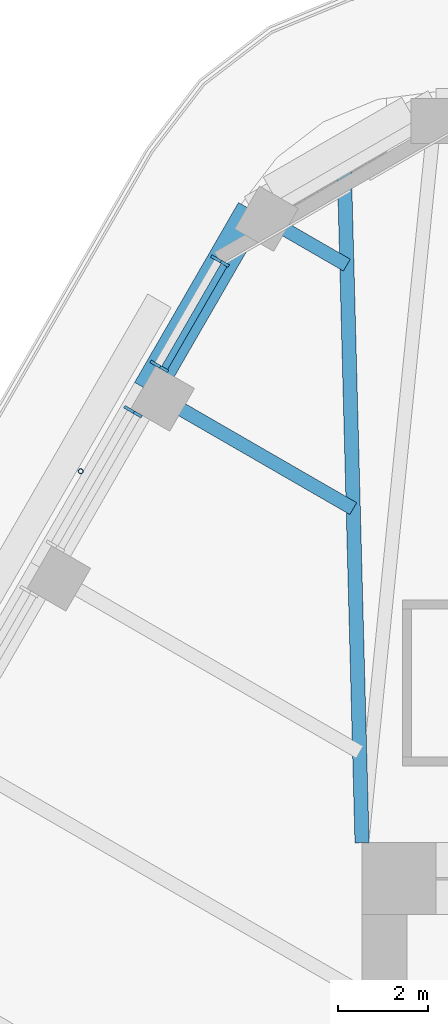
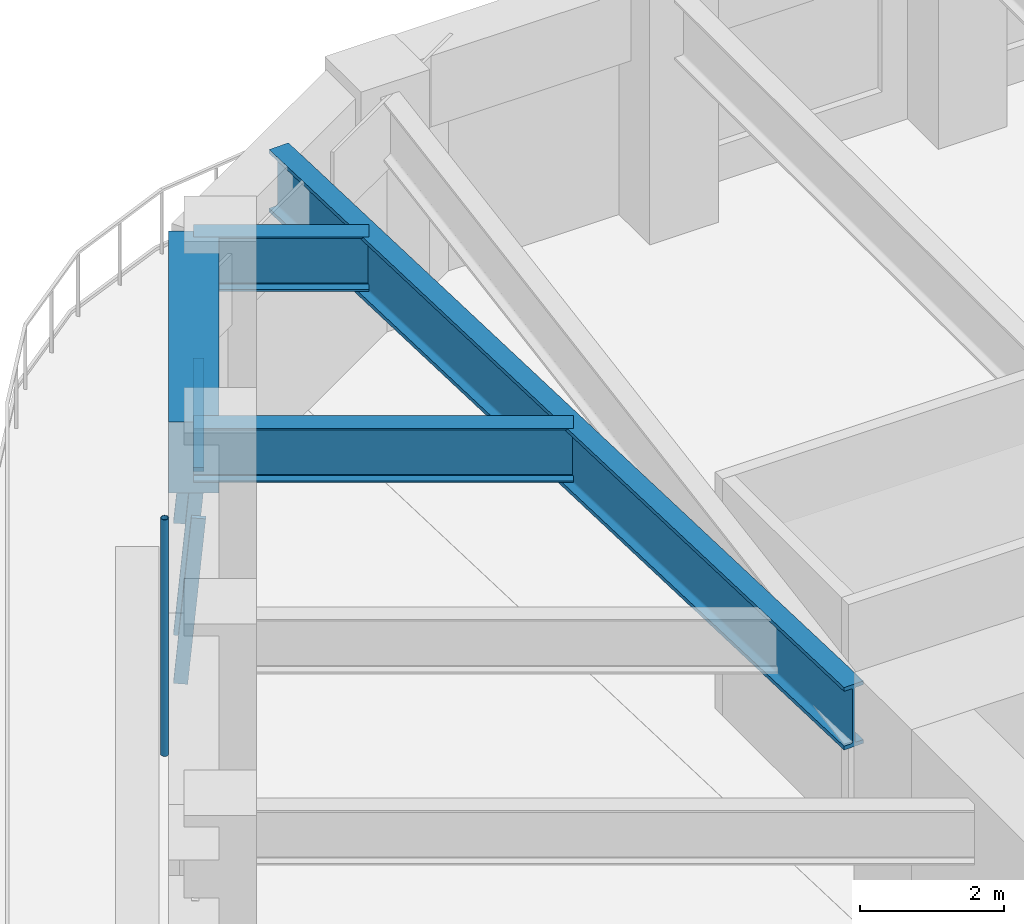
# One storey, part 8 of 20: 5 members, 4 beams, 2 elements without a shape of their own.
"""IFC4 building model written with IfcOpenShell, lengths in metres."""

from ifc_helpers import new_model, si_unit, direction, frame, origin, origin_2d, place, context, subcontext, project, spatial, rectangle, hollow_circle, i_section, extrude, material, material_profile, profile_set, type_object, element, aggregate, save


model = new_model("IFC4")

# Units and contexts
model_context = context("Model", 3, precision=1e-05, world=origin(), true_north=direction((0.0, 1.0)))
body_context = subcontext(model_context, "Body", "Model", "MODEL_VIEW")
ifc_project = project(units=[si_unit("LENGTHUNIT", "METRE"), si_unit("AREAUNIT", "SQUARE_METRE"), si_unit("VOLUMEUNIT", "CUBIC_METRE"), si_unit("PLANEANGLEUNIT", "RADIAN"), si_unit("MASSUNIT", "GRAM", prefix="KILO")], contexts=[model_context])

# Site, building, storey
site_placement = place(None, origin())
site = spatial("IfcSite", under=ifc_project, at=site_placement, CompositionType="ELEMENT")
building_placement = place(site_placement, origin())
building = spatial("IfcBuilding", under=site, at=building_placement, Name="Tarfa Lantern Tower", CompositionType="ELEMENT")
storey_placement = place(building_placement, frame((0.0, 0.0, 291.10009765625)))
storey = spatial("IfcBuildingStorey", under=building, at=storey_placement, Name="L66", CompositionType="ELEMENT", Elevation=291.10009765625)

# Curtain wall, members
ifc_material_1 = material(Name="Aluminium framed curtain wall", Category="aluminium")
curtain_wall_type = type_object("IfcCurtainWallType", Name="CW3 CANTED GLAZING HIGH ZONE 2800", PredefinedType="USERDEFINED", material=ifc_material_1)
curtain_wall_1_placement = place(storey_placement, origin())
curtain_wall_1 = element("IfcCurtainWall", 1, at=curtain_wall_1_placement, inside=storey, type_object=curtain_wall_type, Name="CW3 NW L66", ObjectType="CURTAIN WALL", PredefinedType="USERDEFINED")
ifc_material_2 = material(Name="Aluminium mullion", Category="aluminium")
ifc_material_profile_1 = material_profile(ifc_material_2, rectangle(XDim=0.06494140625, YDim=0.199951171875, at=origin_2d()), Name="AL MULLION 65x200")
ifc_profile_set_1 = profile_set([ifc_material_profile_1], Name="Aluminium mullion")
member_type_1 = type_object("IfcMemberType", Name="CWM1 MULLION 65x200", PredefinedType="MULLION", material=ifc_profile_set_1)
member_1_placement = place(storey_placement, frame((-18.76611328125, 25.296142578125, 0.0), z_axis=(0.077039050765, -0.044468989844, 0.996035889715), x_axis=(0.499919672301, 0.866071776036, 0.0)))
member_1 = element("IfcMember", 2, at=member_1_placement, type_object=member_type_1, Name="CW3 mullion 1", PredefinedType="MULLION", context=body_context, shape_type="SweptSolid", body=[
    extrude(rectangle(XDim=0.06494140625, YDim=0.199951171875, at=origin_2d()), origin(), (0.0, 0.0, 1.0), 2.81103515625),
])
member_2_placement = place(storey_placement, frame((-20.1181640625, 22.954345703125, 0.0), z_axis=(0.077039050765, -0.044468989844, 0.996035889715), x_axis=(0.499919672301, 0.866071776036, 0.0)))
member_2 = element("IfcMember", 3, at=member_2_placement, type_object=member_type_1, Name="CW3 mullion 2", PredefinedType="MULLION", context=body_context, shape_type="SweptSolid", body=[
    extrude(rectangle(XDim=0.06494140625, YDim=0.199951171875, at=origin_2d()), origin(), (0.0, 0.0, 1.0), 2.81103515625),
])

# Curtain wall, member
curtain_wall_2_placement = place(storey_placement, origin())
curtain_wall_2 = element("IfcCurtainWall", 4, at=curtain_wall_2_placement, inside=storey, type_object=curtain_wall_type, Name="CW3 NW L66", ObjectType="CURTAIN WALL", PredefinedType="USERDEFINED")
member_3_placement = place(storey_placement, frame((-20.70068359375, 21.945556640625, 0.0), z_axis=(0.077039050765, -0.044468989844, 0.996035889715), x_axis=(0.499919672301, 0.866071776036, 0.0)))
member_3 = element("IfcMember", 5, at=member_3_placement, type_object=member_type_1, Name="CW3 mullion 1", PredefinedType="MULLION", context=body_context, shape_type="SweptSolid", body=[
    extrude(rectangle(XDim=0.06494140625, YDim=0.199951171875, at=origin_2d()), origin(), (0.0, 0.0, 1.0), 2.81103515625),
])
aggregate(curtain_wall_2, [member_3])

# Member
ifc_material_3 = material(Name="Aluminium transom", Category="aluminium")
ifc_material_profile_2 = material_profile(ifc_material_3, rectangle(XDim=0.14990234375, YDim=0.06494140625, at=origin_2d()), Name="AL TRANSOM 150x65")
ifc_profile_set_2 = profile_set([ifc_material_profile_2], Name="Aluminium transom")
member_type_2 = type_object("IfcMemberType", Name="CWT1 TRANSOM 150x65", PredefinedType="USERDEFINED", material=ifc_profile_set_2)
member_4_placement = place(storey_placement, frame((-18.568359375, 25.144287109375, 2.767333984375), z_axis=(-0.50006949096, -0.865985279442, 0.0), x_axis=(0.865985279442, -0.50006949096, 0.0)))
member_4 = element("IfcMember", 6, at=member_4_placement, type_object=member_type_2, Name="CW3 transom 1.2", ObjectType="TRANSOM", PredefinedType="USERDEFINED", context=body_context, shape_type="SweptSolid", body=[
    extrude(rectangle(XDim=0.14990234375, YDim=0.06494140625, at=origin_2d()), origin(), (0.0, 0.0, 1.0), 2.638671875),
])

aggregate(curtain_wall_1, [member_1, member_2, member_4])

# Beam
ifc_material_4 = material(Name="Concrete C80/95", Category="concrete")
ifc_material_profile_3 = material_profile(ifc_material_4, rectangle(XDim=0.699951171875, YDim=1.199951171875, at=origin_2d()), Name="RC 700x1200")
ifc_profile_set_3 = profile_set([ifc_material_profile_3], Name="Concrete C80/95")
beam_type_1 = type_object("IfcBeamType", Name="EB3 RC 700x1200", PredefinedType="SPANDREL", material=ifc_profile_set_3)
beam_1_placement = place(storey_placement, frame((-17.944091796875, 26.360107421875, 3.39990234375), z_axis=(-0.499987836815, -0.866032426089, 0.0), x_axis=(0.866032426089, -0.499987836815, 0.0)))
element("IfcBeam", 7, at=beam_1_placement, inside=storey, type_object=beam_type_1, Name="Edge beam NW0", PredefinedType="SPANDREL", context=body_context, shape_type="SweptSolid", body=[
    extrude(rectangle(XDim=0.699951171875, YDim=1.199951171875, at=origin_2d()), origin(), (0.0, 0.0, 1.0), 4.61865234375),
])

# Member
ifc_material_5 = material(Name="Steel S355", Category="steel")
ifc_material_profile_4 = material_profile(ifc_material_5, hollow_circle(Radius=0.05712890625, WallThickness=0.00634765625, at=origin_2d()), Name="CHS114.3x6.3")
ifc_profile_set_4 = profile_set([ifc_material_profile_4], Name="Steel S355")
member_type_3 = type_object("IfcMemberType", Name="TR1 GREEN WALL TRELLIS CHS114.3x6.3", PredefinedType="USERDEFINED", material=ifc_profile_set_4)
member_5_placement = place(storey_placement, frame((-21.754638671875, 20.56005859375, 0.0), z_axis=(0.0, 0.0, 1.0), x_axis=(1.0, 0.0, 0.0)))
element("IfcMember", 8, at=member_5_placement, inside=storey, type_object=member_type_3, Name="Trellis post NW 1", ObjectType="TRELLIS", PredefinedType="USERDEFINED", context=body_context, shape_type="SweptSolid", body=[
    extrude(hollow_circle(Radius=0.05712890625, WallThickness=0.00634765625, at=origin_2d()), origin(), (0.0, 0.0, 1.0), 4.0),
])

# Beams
ifc_material_6 = material(Name="Steel S460M", Category="steel")
ifc_material_profile_5 = material_profile(ifc_material_6, i_section(OverallWidth=0.314208984375, OverallDepth=1.055908203125, WebThickness=0.035888671875, FlangeThickness=0.06396484375, FilletRadius=0.030029296875, at=origin_2d()), Name="UB1016x305x584")
ifc_profile_set_5 = profile_set([ifc_material_profile_5], Name="Steel S460M")
beam_type_2 = type_object("IfcBeamType", Name="UB1016x305x584", PredefinedType="BEAM", material=ifc_profile_set_5)
beam_2_placement = place(storey_placement, frame((-15.5, 12.300048828125, 3.471923828125), z_axis=(-0.026247301989, 0.999655480222, 0.0), x_axis=(-0.999655480222, -0.026247301989, 0.0)))
element("IfcBeam", 9, at=beam_2_placement, inside=storey, type_object=beam_type_2, Name="Hip girder NW", PredefinedType="BEAM", context=body_context, shape_type="SweptSolid", body=[
    extrude(i_section(OverallWidth=0.314208984375, OverallDepth=1.055908203125, WebThickness=0.035888671875, FlangeThickness=0.06396484375, FilletRadius=0.030029296875, at=origin_2d()), origin(), (0.0, 0.0, 1.0), 15.245361328125),
])
ifc_material_profile_6 = material_profile(ifc_material_6, i_section(OverallWidth=0.305419921875, OverallDepth=0.91845703125, WebThickness=0.017333984375, FlangeThickness=0.02783203125, FilletRadius=0.01904296875, at=origin_2d()), Name="UB914x305x253")
ifc_profile_set_6 = profile_set([ifc_material_profile_6], Name="Steel S460M")
beam_type_3 = type_object("IfcBeamType", Name="UB914x305x253", PredefinedType="BEAM", material=ifc_profile_set_6)
beam_3_placement = place(storey_placement, frame((-17.944091796875, 26.360107421875, 3.540771484375), z_axis=(0.865980009423, -0.5000786171, 0.0), x_axis=(0.5000786171, 0.865980009423, 0.0)))
element("IfcBeam", 10, at=beam_3_placement, inside=storey, type_object=beam_type_3, Name="Floor beam NW0", PredefinedType="BEAM", context=body_context, shape_type="SweptSolid", body=[
    extrude(i_section(OverallWidth=0.305419921875, OverallDepth=0.91845703125, WebThickness=0.017333984375, FlangeThickness=0.02783203125, FilletRadius=0.01904296875, at=origin_2d()), origin(), (0.0, 0.0, 1.0), 2.4326171875),
])
beam_4_placement = place(storey_placement, frame((-20.25341796875, 22.360107421875, 3.540771484375), z_axis=(0.86601951648, -0.500010196972, 0.0), x_axis=(0.500010196972, 0.86601951648, 0.0)))
element("IfcBeam", 11, at=beam_4_placement, inside=storey, type_object=beam_type_3, Name="Floor beam NW1", PredefinedType="BEAM", context=body_context, shape_type="SweptSolid", body=[
    extrude(i_section(OverallWidth=0.305419921875, OverallDepth=0.91845703125, WebThickness=0.017333984375, FlangeThickness=0.02783203125, FilletRadius=0.01904296875, at=origin_2d()), origin(), (0.0, 0.0, 1.0), 5.263671875),
])

save(model, "model.ifc")
